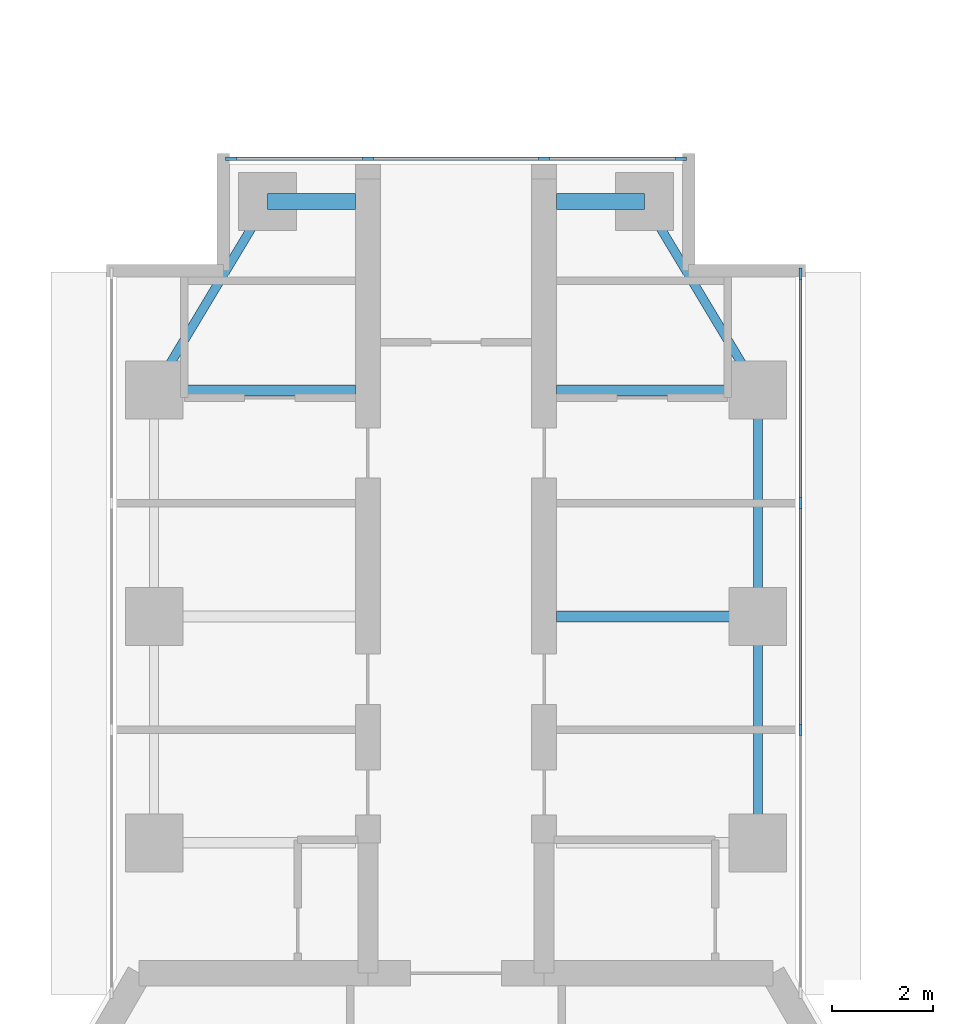
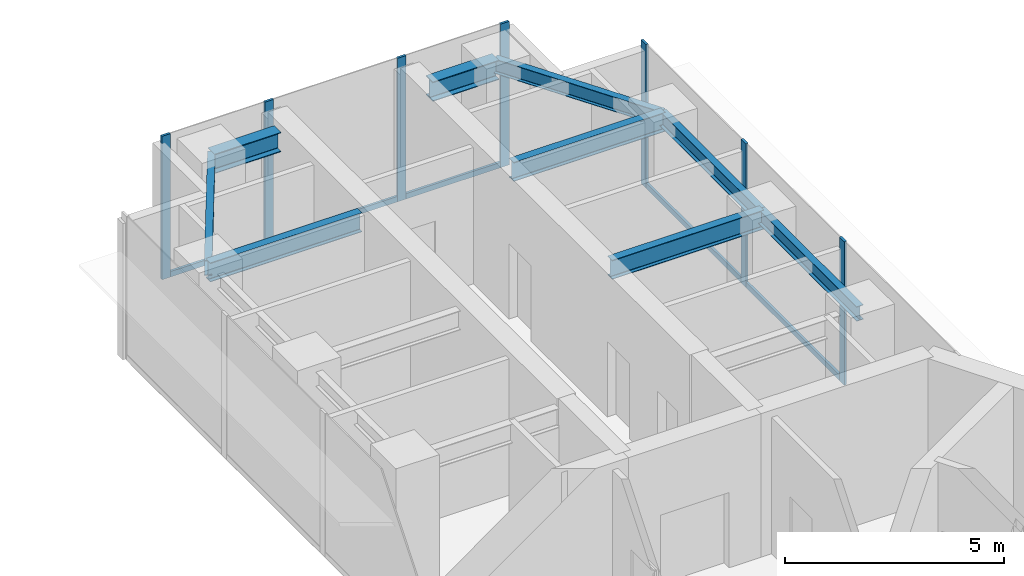
# One storey, part 9 of 17: 12 members, 9 beams, 2 elements without a shape of their own.
"""IFC4 building model written with IfcOpenShell, lengths in metres."""

from ifc_helpers import new_model, si_unit, direction, frame, origin, origin_2d, place, context, subcontext, project, spatial, rectangle, i_section, extrude, material, material_profile, profile_set, type_object, element, aggregate, save


model = new_model("IFC4")

# Units and contexts
model_context = context("Model", 3, precision=1e-05, world=origin(), true_north=direction((0.0, 1.0)))
body_context = subcontext(model_context, "Body", "Model", "MODEL_VIEW")
ifc_project = project(units=[si_unit("LENGTHUNIT", "METRE"), si_unit("AREAUNIT", "SQUARE_METRE"), si_unit("VOLUMEUNIT", "CUBIC_METRE"), si_unit("PLANEANGLEUNIT", "RADIAN"), si_unit("MASSUNIT", "GRAM", prefix="KILO")], contexts=[model_context])

# Site, building, storey
site_placement = place(None, origin())
site = spatial("IfcSite", under=ifc_project, at=site_placement, CompositionType="ELEMENT")
building_placement = place(site_placement, origin())
building = spatial("IfcBuilding", under=site, at=building_placement, Name="Upepo Twin Towers", CompositionType="ELEMENT")
storey_placement = place(building_placement, frame((0.0, 0.0, 206.5)))
storey = spatial("IfcBuildingStorey", under=building, at=storey_placement, Name="L50", CompositionType="ELEMENT", Elevation=206.5)

# Beams
ifc_material_1 = material(Name="Steel S355", Category="steel")
ifc_material_profile_1 = material_profile(ifc_material_1, i_section(OverallWidth=0.177978515625, OverallDepth=0.406494140625, WebThickness=0.0078125, FlangeThickness=0.0126953125, FilletRadius=0.01025390625, at=origin_2d()), Name="UB 406x178x60")
ifc_profile_set_1 = profile_set([ifc_material_profile_1], Name="Steel S355")
beam_type_1 = type_object("IfcBeamType", Name="Beam UB 406x178x60", PredefinedType="BEAM", material=ifc_profile_set_1)
beam_1_placement = place(storey_placement, frame((52.5, 4.5, 3.5966796875), z_axis=(0.514495755428, 0.857492925713, 0.0), x_axis=(-0.857492925713, 0.514495755428, 0.0)))
element("IfcBeam", 1, at=beam_1_placement, inside=storey, type_object=beam_type_1, Name="T2 nose edge beam AL", PredefinedType="BEAM", context=body_context, shape_type="SweptSolid", body=[
    extrude(i_section(OverallWidth=0.177978515625, OverallDepth=0.406494140625, WebThickness=0.0078125, FlangeThickness=0.0126953125, FilletRadius=0.01025390625, at=origin_2d()), origin(), (0.0, 0.0, 1.0), 4.373291015625),
])
for number, where, z_axis, x_axis, name in (
    (2, (64.5, -4.5, 3.5966796875), (0.0, 1.0, 0.0), (-1.0, 0.0, 0.0), "T2 edge beam AR 13.5-18.0"),
    (3, (64.5, 0.0, 3.5966796875), (0.0, 1.0, 0.0), (-1.0, 0.0, 0.0), "T2 edge beam AR 18.0-22.5"),
):
    element("IfcBeam", number, at=place(storey_placement, frame(where, z_axis=z_axis, x_axis=x_axis)), inside=storey, type_object=beam_type_1, Name=name, PredefinedType="BEAM", context=body_context, shape_type="SweptSolid", body=[
        extrude(i_section(OverallWidth=0.177978515625, OverallDepth=0.406494140625, WebThickness=0.0078125, FlangeThickness=0.0126953125, FilletRadius=0.01025390625, at=origin_2d()), origin(), (0.0, 0.0, 1.0), 4.5),
    ])
beam_2_placement = place(storey_placement, frame((64.5, 4.5, 3.5966796875), z_axis=(-0.514495755428, 0.857492925713, 0.0), x_axis=(-0.857492925713, -0.514495755428, 0.0)))
element("IfcBeam", 4, at=beam_2_placement, inside=storey, type_object=beam_type_1, Name="T2 nose edge beam AR", PredefinedType="BEAM", context=body_context, shape_type="SweptSolid", body=[
    extrude(i_section(OverallWidth=0.177978515625, OverallDepth=0.406494140625, WebThickness=0.0078125, FlangeThickness=0.0126953125, FilletRadius=0.01025390625, at=origin_2d()), origin(), (0.0, 0.0, 1.0), 4.373291015625),
])
ifc_material_2 = material(Name="Steel S355", Category="steel")
ifc_material_profile_2 = material_profile(ifc_material_2, i_section(OverallWidth=0.209228515625, OverallDepth=0.533203125, WebThickness=0.010009765625, FlangeThickness=0.015625, FilletRadius=0.0126953125, at=origin_2d()), Name="UB 533x210x92")
ifc_profile_set_2 = profile_set([ifc_material_profile_2], Name="Steel S355")
beam_type_2 = type_object("IfcBeamType", Name="Beam UB 533x210x92", PredefinedType="BEAM", material=ifc_profile_set_2)
for number, where, z_axis, x_axis, name in (
    (5, (52.5, 4.5, 3.533447265625), (1.0, 0.0, 0.0), (0.0, 1.0, 0.0), "T2 girder AL at 22.5"),
    (6, (64.5, 0.0, 3.533447265625), (-1.0, 0.0, 0.0), (0.0, -1.0, 0.0), "T2 girder AR at 18.0"),
    (7, (64.5, 4.5, 3.533447265625), (-1.0, 0.0, 0.0), (0.0, -1.0, 0.0), "T2 girder AR at 22.5"),
):
    element("IfcBeam", number, at=place(storey_placement, frame(where, z_axis=z_axis, x_axis=x_axis)), inside=storey, type_object=beam_type_2, Name=name, PredefinedType="BEAM", context=body_context, shape_type="SweptSolid", body=[
        extrude(i_section(OverallWidth=0.209228515625, OverallDepth=0.533203125, WebThickness=0.010009765625, FlangeThickness=0.015625, FilletRadius=0.0126953125, at=origin_2d()), origin(), (0.0, 0.0, 1.0), 4.0),
    ])
ifc_material_3 = material(Name="Steel S355", Category="steel")
ifc_material_profile_3 = material_profile(ifc_material_3, i_section(OverallWidth=0.31201171875, OverallDepth=0.54345703125, WebThickness=0.0126953125, FlangeThickness=0.020263671875, FilletRadius=0.0126953125, at=origin_2d()), Name="UB 533x312x150")
ifc_profile_set_3 = profile_set([ifc_material_profile_3], Name="Steel S355")
beam_type_3 = type_object("IfcBeamType", Name="Beam UB 533x312x150", PredefinedType="BEAM", material=ifc_profile_set_3)
for number, where, z_axis, x_axis, name in (
    (8, (54.75, 8.25, 3.5283203125), (1.0, 0.0, 0.0), (0.0, 1.0, 0.0), "T2 nose beam AL"),
    (9, (62.25, 8.25, 3.5283203125), (-1.0, 0.0, 0.0), (0.0, -1.0, 0.0), "T2 nose beam AR"),
):
    element("IfcBeam", number, at=place(storey_placement, frame(where, z_axis=z_axis, x_axis=x_axis)), inside=storey, type_object=beam_type_3, Name=name, PredefinedType="BEAM", context=body_context, shape_type="SweptSolid", body=[
        extrude(i_section(OverallWidth=0.31201171875, OverallDepth=0.54345703125, WebThickness=0.0126953125, FlangeThickness=0.020263671875, FilletRadius=0.0126953125, at=origin_2d()), origin(), (0.0, 0.0, 1.0), 1.75),
    ])

# Curtain wall, members
ifc_material_4 = material(Name="Aluminium and fritted glass", Category="aluminium")
curtain_wall_type = type_object("IfcCurtainWallType", Name="Tower curtain wall TW3, fritted glass", PredefinedType="NOTDEFINED", material=ifc_material_4)
curtain_wall_1_placement = place(storey_placement, origin())
curtain_wall_1 = element("IfcCurtainWall", 10, at=curtain_wall_1_placement, inside=storey, type_object=curtain_wall_type, Name="T2 L50 wing A flank R curtain wall", PredefinedType="NOTDEFINED")
ifc_material_5 = material(Name="Aluminium mullion", Category="aluminium")
ifc_material_profile_4 = material_profile(ifc_material_5, rectangle(XDim=0.06494140625, YDim=0.22509765625, at=origin_2d()), Name="MULLION 65x225")
ifc_profile_set_4 = profile_set([ifc_material_profile_4], Name="Aluminium mullion")
member_type_1 = type_object("IfcMemberType", Name="Mullion 65x225 TW3", PredefinedType="MULLION", material=ifc_profile_set_4)
member_1_placement = place(storey_placement, frame((65.35009765625, 6.8173828125, 0.0), z_axis=(0.0, 0.0, 1.0), x_axis=(1.0, 0.0, 0.0)))
member_1 = element("IfcMember", 11, at=member_1_placement, type_object=member_type_1, Name="T2 L50 wing A flank R curtain wall mullion 1", PredefinedType="MULLION", context=body_context, shape_type="SweptSolid", body=[
    extrude(rectangle(XDim=0.06494140625, YDim=0.22509765625, at=origin_2d()), origin(), (0.0, 0.0, 1.0), 4.0),
])
member_2_placement = place(storey_placement, frame((65.35009765625, 2.25, 0.0), z_axis=(0.0, 0.0, 1.0), x_axis=(1.0, 0.0, 0.0)))
member_2 = element("IfcMember", 12, at=member_2_placement, type_object=member_type_1, Name="T2 L50 wing A flank R curtain wall mullion 2", PredefinedType="MULLION", context=body_context, shape_type="SweptSolid", body=[
    extrude(rectangle(XDim=0.06494140625, YDim=0.22509765625, at=origin_2d()), origin(), (0.0, 0.0, 1.0), 4.0),
])
member_3_placement = place(storey_placement, frame((65.35009765625, -2.25, 0.0), z_axis=(0.0, 0.0, 1.0), x_axis=(1.0, 0.0, 0.0)))
member_3 = element("IfcMember", 13, at=member_3_placement, type_object=member_type_1, Name="T2 L50 wing A flank R curtain wall mullion 3", PredefinedType="MULLION", context=body_context, shape_type="SweptSolid", body=[
    extrude(rectangle(XDim=0.06494140625, YDim=0.22509765625, at=origin_2d()), origin(), (0.0, 0.0, 1.0), 4.0),
])

curtain_wall_2_placement = place(storey_placement, origin())
curtain_wall_2 = element("IfcCurtainWall", 14, at=curtain_wall_2_placement, inside=storey, type_object=curtain_wall_type, Name="T2 L50 wing A nose curtain wall", PredefinedType="NOTDEFINED")
member_4_placement = place(storey_placement, frame((62.967529296875, 9.10009765625, 0.0), z_axis=(0.0, 0.0, 1.0), x_axis=(0.0, -1.0, 0.0)))
member_4 = element("IfcMember", 15, at=member_4_placement, type_object=member_type_1, Name="T2 L50 wing A nose curtain wall mullion 1", PredefinedType="MULLION", context=body_context, shape_type="SweptSolid", body=[
    extrude(rectangle(XDim=0.06494140625, YDim=0.22509765625, at=origin_2d()), origin(), (0.0, 0.0, 1.0), 4.0),
])
member_5_placement = place(storey_placement, frame((60.25, 9.10009765625, 0.0), z_axis=(0.0, 0.0, 1.0), x_axis=(0.0, -1.0, 0.0)))
member_5 = element("IfcMember", 16, at=member_5_placement, type_object=member_type_1, Name="T2 L50 wing A nose curtain wall mullion 2", PredefinedType="MULLION", context=body_context, shape_type="SweptSolid", body=[
    extrude(rectangle(XDim=0.06494140625, YDim=0.22509765625, at=origin_2d()), origin(), (0.0, 0.0, 1.0), 4.0),
])
member_6_placement = place(storey_placement, frame((56.75, 9.10009765625, 0.0), z_axis=(0.0, 0.0, 1.0), x_axis=(0.0, -1.0, 0.0)))
member_6 = element("IfcMember", 17, at=member_6_placement, type_object=member_type_1, Name="T2 L50 wing A nose curtain wall mullion 3", PredefinedType="MULLION", context=body_context, shape_type="SweptSolid", body=[
    extrude(rectangle(XDim=0.06494140625, YDim=0.22509765625, at=origin_2d()), origin(), (0.0, 0.0, 1.0), 4.0),
])
member_7_placement = place(storey_placement, frame((54.032470703125, 9.10009765625, 0.0), z_axis=(0.0, 0.0, 1.0), x_axis=(0.0, -1.0, 0.0)))
member_7 = element("IfcMember", 18, at=member_7_placement, type_object=member_type_1, Name="T2 L50 wing A nose curtain wall mullion 4", PredefinedType="MULLION", context=body_context, shape_type="SweptSolid", body=[
    extrude(rectangle(XDim=0.06494140625, YDim=0.22509765625, at=origin_2d()), origin(), (0.0, 0.0, 1.0), 4.0),
])

# Member
ifc_material_6 = material(Name="Aluminium transom", Category="aluminium")
ifc_material_profile_5 = material_profile(ifc_material_6, rectangle(XDim=0.06494140625, YDim=0.14990234375, at=origin_2d()), Name="TRANSOM 65x150")
ifc_profile_set_5 = profile_set([ifc_material_profile_5], Name="Aluminium transom")
member_type_2 = type_object("IfcMemberType", Name="Transom 65x150 TW3", PredefinedType="USERDEFINED", material=ifc_profile_set_5)
member_8_placement = place(storey_placement, frame((65.35009765625, 6.784912109375, 0.074951171875), z_axis=(0.0, -1.0, 0.0), x_axis=(1.0, 0.0, 0.0)))
member_8 = element("IfcMember", 19, at=member_8_placement, type_object=member_type_2, Name="T2 L50 wing A flank R curtain wall transom 1", ObjectType="TRANSOM", PredefinedType="USERDEFINED", context=body_context, shape_type="SweptSolid", body=[
    extrude(rectangle(XDim=0.06494140625, YDim=0.14990234375, at=origin_2d()), origin(), (0.0, 0.0, 1.0), 4.50244140625),
])

member_9_placement = place(storey_placement, frame((65.35009765625, 2.217529296875, 0.074951171875), z_axis=(0.0, -1.0, 0.0), x_axis=(1.0, 0.0, 0.0)))
member_9 = element("IfcMember", 20, at=member_9_placement, type_object=member_type_2, Name="T2 L50 wing A flank R curtain wall transom 2", ObjectType="TRANSOM", PredefinedType="USERDEFINED", context=body_context, shape_type="SweptSolid", body=[
    extrude(rectangle(XDim=0.06494140625, YDim=0.14990234375, at=origin_2d()), origin(), (0.0, 0.0, 1.0), 4.43505859375),
])

aggregate(curtain_wall_1, [member_1, member_2, member_3, member_8, member_9])

member_10_placement = place(storey_placement, frame((62.93505859375, 9.10009765625, 0.074951171875), z_axis=(-1.0, 0.0, 0.0), x_axis=(0.0, -1.0, 0.0)))
member_10 = element("IfcMember", 21, at=member_10_placement, type_object=member_type_2, Name="T2 L50 wing A nose curtain wall transom 1", ObjectType="TRANSOM", PredefinedType="USERDEFINED", context=body_context, shape_type="SweptSolid", body=[
    extrude(rectangle(XDim=0.06494140625, YDim=0.14990234375, at=origin_2d()), origin(), (0.0, 0.0, 1.0), 2.652587890625),
])

member_11_placement = place(storey_placement, frame((60.217529296875, 9.10009765625, 0.074951171875), z_axis=(-1.0, 0.0, 0.0), x_axis=(0.0, -1.0, 0.0)))
member_11 = element("IfcMember", 22, at=member_11_placement, type_object=member_type_2, Name="T2 L50 wing A nose curtain wall transom 2", ObjectType="TRANSOM", PredefinedType="USERDEFINED", context=body_context, shape_type="SweptSolid", body=[
    extrude(rectangle(XDim=0.06494140625, YDim=0.14990234375, at=origin_2d()), origin(), (0.0, 0.0, 1.0), 3.43505859375),
])

member_12_placement = place(storey_placement, frame((56.717529296875, 9.10009765625, 0.074951171875), z_axis=(-1.0, 0.0, 0.0), x_axis=(0.0, -1.0, 0.0)))
member_12 = element("IfcMember", 23, at=member_12_placement, type_object=member_type_2, Name="T2 L50 wing A nose curtain wall transom 3", ObjectType="TRANSOM", PredefinedType="USERDEFINED", context=body_context, shape_type="SweptSolid", body=[
    extrude(rectangle(XDim=0.06494140625, YDim=0.14990234375, at=origin_2d()), origin(), (0.0, 0.0, 1.0), 2.652587890625),
])

aggregate(curtain_wall_2, [member_4, member_5, member_6, member_7, member_10, member_11, member_12])

save(model, "model.ifc")
